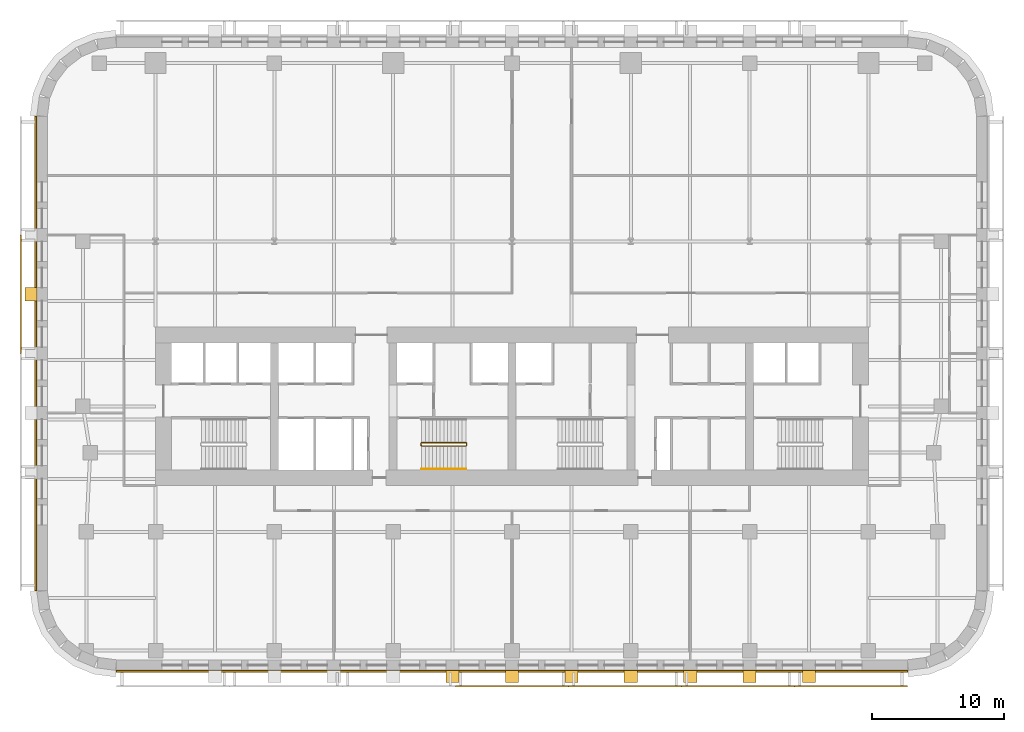
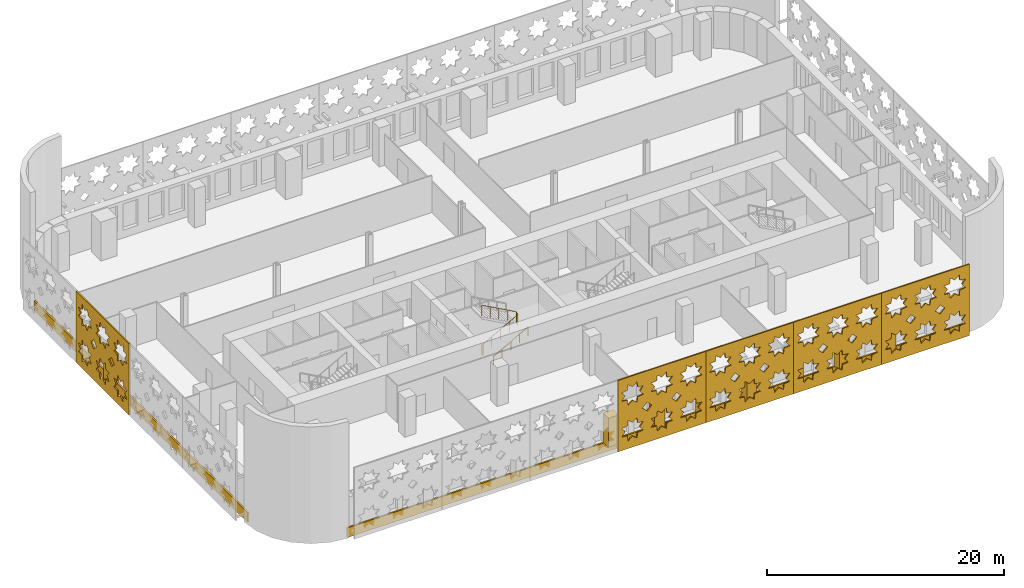
# One storey, part 12 of 15: 15 coverings, 2 railings.
"""IFC4 building model written with IfcOpenShell, lengths in metres."""

import ifcopenshell
import ifcopenshell.guid

model = None  # the IFC model being written
_history = None  # IfcOwnerHistory: only IFC2X3 demands one
_inside = {}  # id of a spatial element -> (the spatial element, [elements in it])
_under = {}  # id of a project, library or spatial element -> (it, [spatial elements below it])
_declared = {}  # id of a project -> (the project, [libraries it declares])
_typed = {}  # id of a type object -> (the type object, [elements of that type])
_made_of = {}  # id of a material, layer set ... -> (it, [elements and type objects made of it])


def new_model(schema):
    """Start an empty IFC model of exactly this schema.

    Asked for "IFC4X3", IfcOpenShell would pick the latest addendum, in which some entities
    have other attributes; the version numbers below select the first issue.
    IFC2X3 requires an IfcOwnerHistory on every rooted entity: one is made here for all.
    """
    global model, _history
    if schema == "IFC4X3":
        model = ifcopenshell.file(schema_version=(4, 3, 0, 0))
    else:
        model = ifcopenshell.file(schema=schema)
    _inside.clear()
    _under.clear()
    _declared.clear()
    _typed.clear()
    _made_of.clear()
    _history = None
    if model.schema == "IFC2X3":
        org = make("IfcOrganization", Name="unknown")
        user = make(
            "IfcPersonAndOrganization",
            ThePerson=make("IfcPerson", FamilyName="unknown"),
            TheOrganization=org,
        )
        app = make(
            "IfcApplication",
            ApplicationDeveloper=org,
            Version="unknown",
            ApplicationFullName="unknown",
            ApplicationIdentifier="unknown",
        )
        _history = make(
            "IfcOwnerHistory",
            OwningUser=user,
            OwningApplication=app,
            ChangeAction="ADDED",
            CreationDate=0,
        )
    return model


def make(cls, **values):
    """One entity of the class cls with the attributes given. An attribute that is None is left unset."""
    return model.create_entity(
        cls, **{name: value for name, value in values.items() if value is not None}
    )


def rooted(cls, **values):
    """An entity with a GlobalId (a new one), such as an element, a storey or a relation."""
    return make(cls, GlobalId=ifcopenshell.guid.new(), OwnerHistory=_history, **values)


def si_unit(unit_type, name, prefix=None):
    """IfcSIUnit, for example si_unit("LENGTHUNIT", "METRE", prefix="MILLI")."""
    return make("IfcSIUnit", UnitType=unit_type, Prefix=prefix, Name=name)


def assignment(units):
    """IfcUnitAssignment: the units of a project."""
    return None if units is None else make("IfcUnitAssignment", Units=units)


def point(xyz):
    """IfcCartesianPoint."""
    return None if xyz is None else make("IfcCartesianPoint", Coordinates=xyz)


def direction(xyz):
    """IfcDirection."""
    return None if xyz is None else make("IfcDirection", DirectionRatios=xyz)


def frame(location, z_axis=None, x_axis=None):
    """IfcAxis2Placement3D, a coordinate frame: its origin and axes. An axis left out is left unset."""
    return make(
        "IfcAxis2Placement3D",
        Location=point(location),
        Axis=direction(z_axis),
        RefDirection=direction(x_axis),
    )


def frame_2d(location, x_axis=None):
    """IfcAxis2Placement2D, a coordinate frame in the plane: its origin and x axis."""
    return make(
        "IfcAxis2Placement2D", Location=point(location), RefDirection=direction(x_axis)
    )


def origin():
    """The frame at (0, 0, 0) with its axes left unset."""
    return frame((0.0, 0.0, 0.0))


def origin_2d():
    """The frame at (0, 0) in the plane with its x axis left unset."""
    return frame_2d((0.0, 0.0))


def place(relative_to, where):
    """IfcLocalPlacement: puts the frame where relative to a parent placement (None: the world)."""
    return make(
        "IfcLocalPlacement", PlacementRelTo=relative_to, RelativePlacement=where
    )


def context(
    kind, dimensions, precision=None, world=None, true_north=None, identifier=None
):
    """IfcGeometricRepresentationContext, for example the 3D "Model" context."""
    return make(
        "IfcGeometricRepresentationContext",
        ContextIdentifier=identifier,
        ContextType=kind,
        CoordinateSpaceDimension=dimensions,
        Precision=precision,
        WorldCoordinateSystem=world,
        TrueNorth=true_north,
    )


def subcontext(parent, identifier, kind, view, scale=None):
    """IfcGeometricRepresentationSubContext, for example "Body" below "Model"."""
    return make(
        "IfcGeometricRepresentationSubContext",
        ContextIdentifier=identifier,
        ContextType=kind,
        ParentContext=parent,
        TargetScale=scale,
        TargetView=view,
    )


def project(units=None, contexts=None):
    """IfcProject with its units and contexts."""
    return rooted(
        "IfcProject",
        Name="project",
        RepresentationContexts=contexts,
        UnitsInContext=assignment(units),
    )


def spatial(cls, under=None, at=None, **own):
    """A site, building, storey or space (cls), placed at a placement, below another one or the project."""
    s = rooted(cls, ObjectPlacement=at, **own)
    if under is not None:
        _under.setdefault(under.id(), (under, []))[1].append(s)
    return s


def polyline(points):
    """IfcPolyline through the points."""
    return make("IfcPolyline", Points=[point(p) for p in points])


def profile(cls, at=None, kind="AREA", **sizes):
    """A parametric profile (cls). Its sizes go by their IFC names, for example OverallWidth=200.0."""
    return make(cls, ProfileType=kind, Position=at, **sizes)


def circle(**sizes):
    """IfcCircleProfileDef."""
    return profile("IfcCircleProfileDef", **sizes)


def outline(outer, holes=None, kind="AREA"):
    """IfcArbitraryClosedProfileDef: a profile drawn as a closed curve; with holes, ...WithVoids."""
    if holes is None:
        return make("IfcArbitraryClosedProfileDef", ProfileType=kind, OuterCurve=outer)
    return make(
        "IfcArbitraryProfileDefWithVoids",
        ProfileType=kind,
        OuterCurve=outer,
        InnerCurves=holes,
    )


def extrude(swept, where, along, depth):
    """IfcExtrudedAreaSolid: the profile swept, set in the frame where, extruded along a direction by depth."""
    return make(
        "IfcExtrudedAreaSolid",
        SweptArea=swept,
        Position=where,
        ExtrudedDirection=direction(along),
        Depth=depth,
    )


def shape(context_of_items, identifier, shape_type, items):
    """IfcShapeRepresentation: the items that make up one representation, for example the "Body"."""
    return make(
        "IfcShapeRepresentation",
        ContextOfItems=context_of_items,
        RepresentationIdentifier=identifier,
        RepresentationType=shape_type,
        Items=items,
    )


def material(Name=None, Category=None):
    """IfcMaterial."""
    return make("IfcMaterial", Name=Name, Category=Category)


def layer(
    of_material, thickness, ventilated=None, Name=None, Category=None, Priority=None
):
    """IfcMaterialLayer: one layer of a wall or slab, of a material (None: an air gap)."""
    return make(
        "IfcMaterialLayer",
        Material=of_material,
        LayerThickness=thickness,
        IsVentilated=ventilated,
        Name=Name,
        Category=Category,
        Priority=Priority,
    )


def layer_set(layers, Name=None):
    """IfcMaterialLayerSet."""
    return make("IfcMaterialLayerSet", MaterialLayers=layers, LayerSetName=Name)


def made_of(thing, what):
    """Note that an element or type object is made of a material, layer set ...; save() writes the relation."""
    if what is not None:
        _made_of.setdefault(what.id(), (what, []))[1].append(thing)
    return thing


def type_object(cls, material=None, **own):
    """A type object (cls), such as IfcWallType, which elements share."""
    return made_of(rooted(cls, **own), material)


def element(
    cls,
    number,
    at=None,
    inside=None,
    cuts=None,
    type_object=None,
    material=None,
    context=None,
    identifier="Body",
    shape_type=None,
    held_by="IfcProductDefinitionShape",
    body=None,
    shapes=None,
    **own,
):
    """One element of the class cls, such as IfcWall. Its Tag is "e" and its number.

    at: its placement. inside: the storey or other place that contains it. cuts: it is an
    opening in that element (IfcRelVoidsElement). A single representation is given by context,
    identifier, shape_type and body (its items); several are given by shapes. held_by: the class
    of the entity that holds the representations. save() writes the other relations.
    """
    e = rooted(cls, Tag="e%d" % number, ObjectPlacement=at, **own)
    if body is not None:
        shapes = [shape(context, identifier, shape_type, body)]
    if shapes is not None:
        e.Representation = make(held_by, Representations=shapes)
    if inside is not None:
        _inside.setdefault(inside.id(), (inside, []))[1].append(e)
    if cuts is not None:
        rooted(
            "IfcRelVoidsElement", RelatingBuildingElement=cuts, RelatedOpeningElement=e
        )
    if type_object is not None:
        _typed.setdefault(type_object.id(), (type_object, []))[1].append(e)
    return made_of(e, material)


def aggregate(whole, parts):
    """IfcRelAggregates: a whole, such as a stair, and the parts it consists of."""
    return rooted("IfcRelAggregates", RelatingObject=whole, RelatedObjects=parts)


def save(model, path):
    """Write the relations noted so far, then the file.

    IfcRelAggregates (storeys below a building ...), IfcRelContainedInSpatialStructure (elements
    in a storey), IfcRelDefinesByType, IfcRelAssociatesMaterial and IfcRelDeclares: one each for
    every whole, place, type object, material and project.
    """
    for whole, parts in _under.values():
        aggregate(whole, parts)
    for where, things in _inside.values():
        rooted(
            "IfcRelContainedInSpatialStructure",
            RelatedElements=things,
            RelatingStructure=where,
        )
    for kind, things in _typed.values():
        rooted("IfcRelDefinesByType", RelatedObjects=things, RelatingType=kind)
    for what, things in _made_of.values():
        rooted("IfcRelAssociatesMaterial", RelatedObjects=things, RelatingMaterial=what)
    for by, libraries in _declared.values():
        rooted("IfcRelDeclares", RelatingContext=by, RelatedDefinitions=libraries)
    model.write(path)


model = new_model("IFC4")

# Units and contexts
model_context = context("Model", 3, precision=1e-05, world=origin(), true_north=direction((0.0, 1.0)))
body_context = subcontext(model_context, "Body", "Model", "MODEL_VIEW")
ifc_project = project(units=[si_unit("LENGTHUNIT", "METRE"), si_unit("AREAUNIT", "SQUARE_METRE"), si_unit("VOLUMEUNIT", "CUBIC_METRE"), si_unit("PLANEANGLEUNIT", "RADIAN"), si_unit("MASSUNIT", "GRAM", prefix="KILO")], contexts=[model_context])

# Site, building, storey
site_placement = place(None, origin())
site = spatial("IfcSite", under=ifc_project, at=site_placement, CompositionType="ELEMENT")
building_placement = place(site_placement, origin())
building = spatial("IfcBuilding", under=site, at=building_placement, Name="Zellij Exchange Tower", CompositionType="ELEMENT")
storey_placement = place(building_placement, frame((0.0, 0.0, 76.5)))
storey = spatial("IfcBuildingStorey", under=building, at=storey_placement, Name="L15", CompositionType="ELEMENT", Elevation=76.5)

# Railings
ifc_material_1 = material(Name="Stainless steel", Category="steel")
railing_type_1 = type_object("IfcRailingType", Name="CORE-RG stair guard", PredefinedType="GUARDRAIL", material=ifc_material_1)
railing_1_placement = place(storey_placement, frame((-6.89990234375, -10.949951171875, 0.0)))
element("IfcRailing", 1, at=railing_1_placement, inside=storey, type_object=railing_type_1, Name="ST2 stair guard L15", PredefinedType="GUARDRAIL", context=body_context, shape_type="SweptSolid", body=[
    extrude(circle(Radius=0.02392578125, at=origin_2d()), frame((0.0, 0.0, 1.076171875), z_axis=(0.0, 1.0, 0.0), x_axis=(-1.0, 0.0, 0.0)), (0.0, 0.0, 1.0), 0.14990234375),
    extrude(circle(Radius=0.02392578125, at=origin_2d()), frame((0.0, 0.14990234375, 1.076171875), z_axis=(0.193691321961, -0.777613689637, 0.598164376644), x_axis=(0.970351222016, 0.241699205484, 0.0)), (0.0, 0.0, 1.0), 0.257080078125),
    extrude(circle(Radius=0.02392578125, at=origin_2d()), frame((0.0498046875, -0.050048828125, 1.22998046875), z_axis=(0.876421534553, 0.0, 0.481544695509), x_axis=(0.0, 1.0, 0.0)), (0.0, 0.0, 1.0), 3.833984375),
    extrude(circle(Radius=0.02392578125, at=origin_2d()), frame((3.409912109375, -0.050048828125, 3.076171875), z_axis=(0.707106781187, 0.707106781187, 0.0), x_axis=(-0.707106781187, 0.707106781187, 0.0)), (0.0, 0.0, 1.0), 0.07080078125),
    extrude(circle(Radius=0.02392578125, at=origin_2d()), frame((3.4599609375, 0.0, 3.076171875), z_axis=(0.0, 1.0, 0.0), x_axis=(-1.0, 0.0, 0.0)), (0.0, 0.0, 1.0), 0.14990234375),
    extrude(circle(Radius=0.02392578125, at=origin_2d()), frame((3.4599609375, 0.14990234375, 3.076171875), z_axis=(-0.295599637079, 0.295599637079, 0.908428152975), x_axis=(-0.707106781187, -0.707106781187, 0.0)), (0.0, 0.0, 1.0), 0.16943359375),
    extrude(circle(Radius=0.02392578125, at=origin_2d()), frame((3.409912109375, 0.199951171875, 3.22998046875), z_axis=(-0.876421534553, 0.0, 0.481544695509), x_axis=(0.0, -1.0, 0.0)), (0.0, 0.0, 1.0), 3.833984375),
    extrude(circle(Radius=0.02099609375, at=origin_2d()), origin(), (0.0, 0.0, 1.0), 1.052001953125),
    extrude(circle(Radius=0.02099609375, at=origin_2d()), frame((0.0, 0.14990234375, 0.0)), (0.0, 0.0, 1.0), 1.052001953125),
    extrude(circle(Radius=0.02099609375, at=origin_2d()), frame((0.0498046875, -0.050048828125, 0.15380859375)), (0.0, 0.0, 1.0), 1.052001953125),
    extrude(circle(Radius=0.02099609375, at=origin_2d()), frame((0.889892578125, -0.050048828125, 0.615234375)), (0.0, 0.0, 1.0), 1.052001953125),
    extrude(circle(Radius=0.02099609375, at=origin_2d()), frame((1.72998046875, -0.050048828125, 1.076904296875)), (0.0, 0.0, 1.0), 1.052001953125),
    extrude(circle(Radius=0.02099609375, at=origin_2d()), frame((2.56982421875, -0.050048828125, 1.53857421875)), (0.0, 0.0, 1.0), 1.052001953125),
    extrude(circle(Radius=0.02099609375, at=origin_2d()), frame((3.409912109375, -0.050048828125, 2.0)), (0.0, 0.0, 1.0), 1.052001953125),
    extrude(circle(Radius=0.02099609375, at=origin_2d()), frame((3.4599609375, 0.0, 2.0)), (0.0, 0.0, 1.0), 1.052001953125),
    extrude(circle(Radius=0.02099609375, at=origin_2d()), frame((3.4599609375, 0.14990234375, 2.0)), (0.0, 0.0, 1.0), 1.052001953125),
    extrude(circle(Radius=0.02099609375, at=origin_2d()), frame((3.409912109375, 0.199951171875, 2.15380859375)), (0.0, 0.0, 1.0), 1.052001953125),
    extrude(circle(Radius=0.02099609375, at=origin_2d()), frame((2.56982421875, 0.199951171875, 2.615234375)), (0.0, 0.0, 1.0), 1.052001953125),
    extrude(circle(Radius=0.02099609375, at=origin_2d()), frame((1.72998046875, 0.199951171875, 3.076904296875)), (0.0, 0.0, 1.0), 1.052001953125),
    extrude(circle(Radius=0.02099609375, at=origin_2d()), frame((0.889892578125, 0.199951171875, 3.53857421875)), (0.0, 0.0, 1.0), 1.052001953125),
    extrude(circle(Radius=0.02099609375, at=origin_2d()), frame((0.0498046875, 0.199951171875, 4.0)), (0.0, 0.0, 1.0), 1.052001953125),
])
railing_type_2 = type_object("IfcRailingType", Name="CORE-RH stair handrail", PredefinedType="HANDRAIL", material=ifc_material_1)
railing_2_placement = place(storey_placement, frame((-6.85009765625, -12.75, 0.15380859375)))
element("IfcRailing", 2, at=railing_2_placement, inside=storey, type_object=railing_type_2, Name="ST2 stair handrail L15", PredefinedType="HANDRAIL", context=body_context, shape_type="SweptSolid", body=[
    extrude(circle(Radius=0.02392578125, at=origin_2d()), frame((0.0, 0.0, 0.8759765625), z_axis=(0.876421534553, 0.0, 0.481544695509), x_axis=(0.0, 1.0, 0.0)), (0.0, 0.0, 1.0), 3.833984375),
    extrude(circle(Radius=0.02099609375, at=origin_2d()), origin(), (0.0, 0.0, 1.0), 0.851806640625),
    extrude(circle(Radius=0.02099609375, at=origin_2d()), frame((0.840087890625, 0.0, 0.46142578125)), (0.0, 0.0, 1.0), 0.851806640625),
    extrude(circle(Radius=0.02099609375, at=origin_2d()), frame((1.68017578125, 0.0, 0.923095703125)), (0.0, 0.0, 1.0), 0.851806640625),
    extrude(circle(Radius=0.02099609375, at=origin_2d()), frame((2.52001953125, 0.0, 1.384765625)), (0.0, 0.0, 1.0), 0.851806640625),
    extrude(circle(Radius=0.02099609375, at=origin_2d()), frame((3.360107421875, 0.0, 1.84619140625)), (0.0, 0.0, 1.0), 0.851806640625),
])

# Coverings
ifc_material_2 = material(Name="Limestone cladding", Category="masonry")
ifc_layer_1 = layer(ifc_material_2, 0.14990234375)
ifc_layer_set_1 = layer_set([ifc_layer_1], Name="Limestone cladding")
covering_type_1 = type_object("IfcCoveringType", Name="ENV-CV1 Stone spandrel band 150", PredefinedType="CLADDING", material=ifc_layer_set_1)
covering_1_placement = place(storey_placement, frame((0.0, 0.0, -0.199951171875)))
element("IfcCovering", 3, at=covering_1_placement, inside=storey, type_object=covering_type_1, Name="Stone spandrel band", PredefinedType="CLADDING", context=body_context, shape_type="SweptSolid", body=[
    extrude(outline(polyline([(-29.973876953125, -28.0), (29.973876953125, -28.0), (29.983642578125, -28.14990234375), (-29.983642578125, -28.14990234375), (-29.973876953125, -28.0)])), origin(), (0.0, 0.0, 1.0), 1.0),
])
covering_2_placement = place(storey_placement, frame((0.0, 0.0, -0.199951171875)))
element("IfcCovering", 4, at=covering_2_placement, inside=storey, type_object=covering_type_1, Name="Stone spandrel band", PredefinedType="CLADDING", context=body_context, shape_type="SweptSolid", body=[
    extrude(outline(polyline([(-36.0, 13.973876953125), (-36.0, -21.973876953125), (-36.14990234375, -21.983642578125), (-36.14990234375, 13.983642578125), (-36.0, 13.973876953125)])), origin(), (0.0, 0.0, 1.0), 1.0),
])
covering_type_2 = type_object("IfcCoveringType", Name="ENV-CV2 Stone pier 1000x900", PredefinedType="CLADDING", material=ifc_material_2)
covering_3_placement = place(storey_placement, frame((0.0, 0.0, 0.800048828125)))
element("IfcCovering", 5, at=covering_3_placement, inside=storey, type_object=covering_type_2, Name="Stone pier", PredefinedType="CLADDING", context=body_context, shape_type="SweptSolid", body=[
    extrude(outline(polyline([(-5.0, -28.0), (-4.0, -28.0), (-4.0, -28.89990234375), (-5.0, -28.89990234375), (-5.0, -28.0)])), origin(), (0.0, 0.0, 1.0), 3.0),
])
covering_4_placement = place(storey_placement, frame((0.0, 0.0, 0.800048828125)))
element("IfcCovering", 6, at=covering_4_placement, inside=storey, type_object=covering_type_2, Name="Stone pier", PredefinedType="CLADDING", context=body_context, shape_type="SweptSolid", body=[
    extrude(outline(polyline([(-0.5, -28.0), (0.5, -28.0), (0.5, -28.89990234375), (-0.5, -28.89990234375), (-0.5, -28.0)])), origin(), (0.0, 0.0, 1.0), 3.0),
])
covering_5_placement = place(storey_placement, frame((0.0, 0.0, 0.800048828125)))
element("IfcCovering", 7, at=covering_5_placement, inside=storey, type_object=covering_type_2, Name="Stone pier", PredefinedType="CLADDING", context=body_context, shape_type="SweptSolid", body=[
    extrude(outline(polyline([(4.0, -28.0), (5.0, -28.0), (5.0, -28.89990234375), (4.0, -28.89990234375), (4.0, -28.0)])), origin(), (0.0, 0.0, 1.0), 3.0),
])
covering_6_placement = place(storey_placement, frame((0.0, 0.0, 0.800048828125)))
element("IfcCovering", 8, at=covering_6_placement, inside=storey, type_object=covering_type_2, Name="Stone pier", PredefinedType="CLADDING", context=body_context, shape_type="SweptSolid", body=[
    extrude(outline(polyline([(8.5, -28.0), (9.5, -28.0), (9.5, -28.89990234375), (8.5, -28.89990234375), (8.5, -28.0)])), origin(), (0.0, 0.0, 1.0), 3.0),
])
covering_7_placement = place(storey_placement, frame((0.0, 0.0, 0.800048828125)))
element("IfcCovering", 9, at=covering_7_placement, inside=storey, type_object=covering_type_2, Name="Stone pier", PredefinedType="CLADDING", context=body_context, shape_type="SweptSolid", body=[
    extrude(outline(polyline([(13.0, -28.0), (14.0, -28.0), (14.0, -28.89990234375), (13.0, -28.89990234375), (13.0, -28.0)])), origin(), (0.0, 0.0, 1.0), 3.0),
])
covering_8_placement = place(storey_placement, frame((0.0, 0.0, 0.800048828125)))
element("IfcCovering", 10, at=covering_8_placement, inside=storey, type_object=covering_type_2, Name="Stone pier", PredefinedType="CLADDING", context=body_context, shape_type="SweptSolid", body=[
    extrude(outline(polyline([(17.5, -28.0), (18.5, -28.0), (18.5, -28.89990234375), (17.5, -28.89990234375), (17.5, -28.0)])), origin(), (0.0, 0.0, 1.0), 3.0),
])
covering_9_placement = place(storey_placement, frame((0.0, 0.0, 0.800048828125)))
element("IfcCovering", 11, at=covering_9_placement, inside=storey, type_object=covering_type_2, Name="Stone pier", PredefinedType="CLADDING", context=body_context, shape_type="SweptSolid", body=[
    extrude(outline(polyline([(22.0, -28.0), (23.0, -28.0), (23.0, -28.89990234375), (22.0, -28.89990234375), (22.0, -28.0)])), origin(), (0.0, 0.0, 1.0), 3.0),
])
covering_10_placement = place(storey_placement, frame((0.0, 0.0, 0.800048828125)))
element("IfcCovering", 12, at=covering_10_placement, inside=storey, type_object=covering_type_2, Name="Stone pier", PredefinedType="CLADDING", context=body_context, shape_type="SweptSolid", body=[
    extrude(outline(polyline([(-36.0, 0.993408203125), (-36.0, -0.006591796875), (-36.89990234375, -0.006591796875), (-36.89990234375, 0.993408203125), (-36.0, 0.993408203125)])), origin(), (0.0, 0.0, 1.0), 3.0),
])
ifc_material_3 = material(Name="Limestone screen", Category="masonry")
ifc_layer_2 = layer(ifc_material_3, 0.1201171875)
ifc_layer_set_2 = layer_set([ifc_layer_2], Name="Limestone screen")
covering_type_3 = type_object("IfcCoveringType", Name="ENV-SC1 Pierced stone screen 120", PredefinedType="USERDEFINED", material=ifc_layer_set_2)
covering_11_placement = place(storey_placement, frame((-37.2099609375, 4.973876953125, 0.300048828125), z_axis=(0.0, 0.0, 1.0), x_axis=(0.0, -1.0, 0.0)))
element("IfcCovering", 13, at=covering_11_placement, inside=storey, type_object=covering_type_3, Name="Pierced stone screen", ObjectType="SCREEN", PredefinedType="USERDEFINED", context=body_context, shape_type="SweptSolid", body=[
    extrude(outline(polyline([(0.0, 0.0), (8.973876953125, 0.0), (8.973876953125, 7.35009765625), (0.0, 7.35009765625), (0.0, 0.0)]), holes=[polyline([(2.60107421875, 2.29541015625), (2.020263671875, 2.362060546875), (1.95361328125, 2.94287109375), (1.49560546875, 2.579345703125), (1.03759765625, 2.94287109375), (0.97119140625, 2.362060546875), (0.39013671875, 2.29541015625), (0.75390625, 1.83740234375), (0.39013671875, 1.379638671875), (0.97119140625, 1.31298828125), (1.03759765625, 0.732177734375), (1.49560546875, 1.095703125), (1.95361328125, 0.732177734375), (2.020263671875, 1.31298828125), (2.60107421875, 1.379638671875), (2.237548828125, 1.83740234375), (2.60107421875, 2.29541015625)]), polyline([(2.60107421875, 5.970458984375), (2.020263671875, 6.037109375), (1.95361328125, 6.617919921875), (1.49560546875, 6.25439453125), (1.03759765625, 6.617919921875), (0.97119140625, 6.037109375), (0.39013671875, 5.970458984375), (0.75390625, 5.512451171875), (0.39013671875, 5.0546875), (0.97119140625, 4.98779296875), (1.03759765625, 4.406982421875), (1.49560546875, 4.770751953125), (1.95361328125, 4.406982421875), (2.020263671875, 4.98779296875), (2.60107421875, 5.0546875), (2.237548828125, 5.512451171875), (2.60107421875, 5.970458984375)]), polyline([(5.59228515625, 2.29541015625), (5.011474609375, 2.362060546875), (4.94482421875, 2.94287109375), (4.48681640625, 2.579345703125), (4.029052734375, 2.94287109375), (3.96240234375, 2.362060546875), (3.381591796875, 2.29541015625), (3.7451171875, 1.83740234375), (3.381591796875, 1.379638671875), (3.96240234375, 1.31298828125), (4.029052734375, 0.732177734375), (4.48681640625, 1.095703125), (4.94482421875, 0.732177734375), (5.011474609375, 1.31298828125), (5.59228515625, 1.379638671875), (5.228759765625, 1.83740234375), (5.59228515625, 2.29541015625)]), polyline([(5.59228515625, 5.970458984375), (5.011474609375, 6.037109375), (4.94482421875, 6.617919921875), (4.48681640625, 6.25439453125), (4.029052734375, 6.617919921875), (3.96240234375, 6.037109375), (3.381591796875, 5.970458984375), (3.7451171875, 5.512451171875), (3.381591796875, 5.0546875), (3.96240234375, 4.98779296875), (4.029052734375, 4.406982421875), (4.48681640625, 4.770751953125), (4.94482421875, 4.406982421875), (5.011474609375, 4.98779296875), (5.59228515625, 5.0546875), (5.228759765625, 5.512451171875), (5.59228515625, 5.970458984375)]), polyline([(8.58349609375, 2.29541015625), (8.002685546875, 2.362060546875), (7.93603515625, 2.94287109375), (7.478271484375, 2.579345703125), (7.020263671875, 2.94287109375), (6.95361328125, 2.362060546875), (6.372802734375, 2.29541015625), (6.736328125, 1.83740234375), (6.372802734375, 1.379638671875), (6.95361328125, 1.31298828125), (7.020263671875, 0.732177734375), (7.478271484375, 1.095703125), (7.93603515625, 0.732177734375), (8.002685546875, 1.31298828125), (8.58349609375, 1.379638671875), (8.219970703125, 1.83740234375), (8.58349609375, 2.29541015625)]), polyline([(8.58349609375, 5.970458984375), (8.002685546875, 6.037109375), (7.93603515625, 6.617919921875), (7.478271484375, 6.25439453125), (7.020263671875, 6.617919921875), (6.95361328125, 6.037109375), (6.372802734375, 5.970458984375), (6.736328125, 5.512451171875), (6.372802734375, 5.0546875), (6.95361328125, 4.98779296875), (7.020263671875, 4.406982421875), (7.478271484375, 4.770751953125), (7.93603515625, 4.406982421875), (8.002685546875, 4.98779296875), (8.58349609375, 5.0546875), (8.219970703125, 5.512451171875), (8.58349609375, 5.970458984375)]), polyline([(3.469970703125, 3.675048828125), (2.9912109375, 4.153564453125), (2.5126953125, 3.675048828125), (2.9912109375, 3.1962890625), (3.469970703125, 3.675048828125)]), polyline([(6.461181640625, 3.675048828125), (5.982421875, 4.153564453125), (5.50390625, 3.675048828125), (5.982421875, 3.1962890625), (6.461181640625, 3.675048828125)])]), frame((0.0, 0.06005859375, 0.0), z_axis=(0.0, -1.0, 0.0), x_axis=(1.0, 0.0, 0.0)), (0.0, 0.0, 1.0), 0.1201171875),
])
covering_12_placement = place(storey_placement, frame((-4.2783203125, -29.2099609375, 0.300048828125), z_axis=(0.0, 0.0, 1.0), x_axis=(1.0, 0.0, 0.0)))
element("IfcCovering", 14, at=covering_12_placement, inside=storey, type_object=covering_type_3, Name="Pierced stone screen", ObjectType="SCREEN", PredefinedType="USERDEFINED", context=body_context, shape_type="SweptSolid", body=[
    extrude(outline(polyline([(0.0, 0.0), (8.556396484375, 0.0), (8.556396484375, 7.35009765625), (0.0, 7.35009765625), (0.0, 0.0)]), holes=[polyline([(2.47998046875, 2.274169921875), (1.92626953125, 2.337646484375), (1.86279296875, 2.8916015625), (1.426025390625, 2.544921875), (0.989501953125, 2.8916015625), (0.92578125, 2.337646484375), (0.3720703125, 2.274169921875), (0.71875, 1.83740234375), (0.3720703125, 1.40087890625), (0.92578125, 1.33740234375), (0.989501953125, 0.783447265625), (1.426025390625, 1.130126953125), (1.86279296875, 0.783447265625), (1.92626953125, 1.33740234375), (2.47998046875, 1.40087890625), (2.13330078125, 1.83740234375), (2.47998046875, 2.274169921875)]), polyline([(2.47998046875, 5.94921875), (1.92626953125, 6.0126953125), (1.86279296875, 6.56640625), (1.426025390625, 6.2197265625), (0.989501953125, 6.56640625), (0.92578125, 6.0126953125), (0.3720703125, 5.94921875), (0.71875, 5.512451171875), (0.3720703125, 5.075927734375), (0.92578125, 5.01220703125), (0.989501953125, 4.45849609375), (1.426025390625, 4.80517578125), (1.86279296875, 4.45849609375), (1.92626953125, 5.01220703125), (2.47998046875, 5.075927734375), (2.13330078125, 5.512451171875), (2.47998046875, 5.94921875)]), polyline([(5.332275390625, 2.274169921875), (4.7783203125, 2.337646484375), (4.71484375, 2.8916015625), (4.2783203125, 2.544921875), (3.841552734375, 2.8916015625), (3.778076171875, 2.337646484375), (3.22412109375, 2.274169921875), (3.57080078125, 1.83740234375), (3.22412109375, 1.40087890625), (3.778076171875, 1.33740234375), (3.841552734375, 0.783447265625), (4.2783203125, 1.130126953125), (4.71484375, 0.783447265625), (4.7783203125, 1.33740234375), (5.332275390625, 1.40087890625), (4.985595703125, 1.83740234375), (5.332275390625, 2.274169921875)]), polyline([(5.332275390625, 5.94921875), (4.7783203125, 6.0126953125), (4.71484375, 6.56640625), (4.2783203125, 6.2197265625), (3.841552734375, 6.56640625), (3.778076171875, 6.0126953125), (3.22412109375, 5.94921875), (3.57080078125, 5.512451171875), (3.22412109375, 5.075927734375), (3.778076171875, 5.01220703125), (3.841552734375, 4.45849609375), (4.2783203125, 4.80517578125), (4.71484375, 4.45849609375), (4.7783203125, 5.01220703125), (5.332275390625, 5.075927734375), (4.985595703125, 5.512451171875), (5.332275390625, 5.94921875)]), polyline([(8.184326171875, 2.274169921875), (7.630615234375, 2.337646484375), (7.56689453125, 2.8916015625), (7.13037109375, 2.544921875), (6.69384765625, 2.8916015625), (6.630126953125, 2.337646484375), (6.076416015625, 2.274169921875), (6.423095703125, 1.83740234375), (6.076416015625, 1.40087890625), (6.630126953125, 1.33740234375), (6.69384765625, 0.783447265625), (7.13037109375, 1.130126953125), (7.56689453125, 0.783447265625), (7.630615234375, 1.33740234375), (8.184326171875, 1.40087890625), (7.837646484375, 1.83740234375), (8.184326171875, 2.274169921875)]), polyline([(8.184326171875, 5.94921875), (7.630615234375, 6.0126953125), (7.56689453125, 6.56640625), (7.13037109375, 6.2197265625), (6.69384765625, 6.56640625), (6.630126953125, 6.0126953125), (6.076416015625, 5.94921875), (6.423095703125, 5.512451171875), (6.076416015625, 5.075927734375), (6.630126953125, 5.01220703125), (6.69384765625, 4.45849609375), (7.13037109375, 4.80517578125), (7.56689453125, 4.45849609375), (7.630615234375, 5.01220703125), (8.184326171875, 5.075927734375), (7.837646484375, 5.512451171875), (8.184326171875, 5.94921875)]), polyline([(3.30859375, 3.675048828125), (2.852294921875, 4.13134765625), (2.395751953125, 3.675048828125), (2.852294921875, 3.21875), (3.30859375, 3.675048828125)]), polyline([(6.16064453125, 3.675048828125), (5.704345703125, 4.13134765625), (5.248046875, 3.675048828125), (5.704345703125, 3.21875), (6.16064453125, 3.675048828125)])]), frame((0.0, 0.06005859375, 0.0), z_axis=(0.0, -1.0, 0.0), x_axis=(1.0, 0.0, 0.0)), (0.0, 0.0, 1.0), 0.1201171875),
])
covering_13_placement = place(storey_placement, frame((4.2783203125, -29.2099609375, 0.300048828125), z_axis=(0.0, 0.0, 1.0), x_axis=(1.0, 0.0, 0.0)))
element("IfcCovering", 15, at=covering_13_placement, inside=storey, type_object=covering_type_3, Name="Pierced stone screen", ObjectType="SCREEN", PredefinedType="USERDEFINED", context=body_context, shape_type="SweptSolid", body=[
    extrude(outline(polyline([(0.0, 0.0), (8.556396484375, 0.0), (8.556396484375, 7.35009765625), (0.0, 7.35009765625), (0.0, 0.0)]), holes=[polyline([(2.47998046875, 2.274169921875), (1.92626953125, 2.337646484375), (1.86279296875, 2.8916015625), (1.426025390625, 2.544921875), (0.989501953125, 2.8916015625), (0.92578125, 2.337646484375), (0.3720703125, 2.274169921875), (0.71875, 1.83740234375), (0.3720703125, 1.40087890625), (0.92578125, 1.33740234375), (0.989501953125, 0.783447265625), (1.426025390625, 1.130126953125), (1.86279296875, 0.783447265625), (1.92626953125, 1.33740234375), (2.47998046875, 1.40087890625), (2.13330078125, 1.83740234375), (2.47998046875, 2.274169921875)]), polyline([(2.47998046875, 5.94921875), (1.92626953125, 6.0126953125), (1.86279296875, 6.56640625), (1.426025390625, 6.2197265625), (0.989501953125, 6.56640625), (0.92578125, 6.0126953125), (0.3720703125, 5.94921875), (0.71875, 5.512451171875), (0.3720703125, 5.075927734375), (0.92578125, 5.01220703125), (0.989501953125, 4.45849609375), (1.426025390625, 4.80517578125), (1.86279296875, 4.45849609375), (1.92626953125, 5.01220703125), (2.47998046875, 5.075927734375), (2.13330078125, 5.512451171875), (2.47998046875, 5.94921875)]), polyline([(5.332275390625, 2.274169921875), (4.7783203125, 2.337646484375), (4.71484375, 2.8916015625), (4.2783203125, 2.544921875), (3.841552734375, 2.8916015625), (3.778076171875, 2.337646484375), (3.22412109375, 2.274169921875), (3.57080078125, 1.83740234375), (3.22412109375, 1.40087890625), (3.778076171875, 1.33740234375), (3.841552734375, 0.783447265625), (4.2783203125, 1.130126953125), (4.71484375, 0.783447265625), (4.7783203125, 1.33740234375), (5.332275390625, 1.40087890625), (4.985595703125, 1.83740234375), (5.332275390625, 2.274169921875)]), polyline([(5.332275390625, 5.94921875), (4.7783203125, 6.0126953125), (4.71484375, 6.56640625), (4.2783203125, 6.2197265625), (3.841552734375, 6.56640625), (3.778076171875, 6.0126953125), (3.22412109375, 5.94921875), (3.57080078125, 5.512451171875), (3.22412109375, 5.075927734375), (3.778076171875, 5.01220703125), (3.841552734375, 4.45849609375), (4.2783203125, 4.80517578125), (4.71484375, 4.45849609375), (4.7783203125, 5.01220703125), (5.332275390625, 5.075927734375), (4.985595703125, 5.512451171875), (5.332275390625, 5.94921875)]), polyline([(8.184326171875, 2.274169921875), (7.630615234375, 2.337646484375), (7.56689453125, 2.8916015625), (7.13037109375, 2.544921875), (6.69384765625, 2.8916015625), (6.630126953125, 2.337646484375), (6.076416015625, 2.274169921875), (6.423095703125, 1.83740234375), (6.076416015625, 1.40087890625), (6.630126953125, 1.33740234375), (6.69384765625, 0.783447265625), (7.13037109375, 1.130126953125), (7.56689453125, 0.783447265625), (7.630615234375, 1.33740234375), (8.184326171875, 1.40087890625), (7.837646484375, 1.83740234375), (8.184326171875, 2.274169921875)]), polyline([(8.184326171875, 5.94921875), (7.630615234375, 6.0126953125), (7.56689453125, 6.56640625), (7.13037109375, 6.2197265625), (6.69384765625, 6.56640625), (6.630126953125, 6.0126953125), (6.076416015625, 5.94921875), (6.423095703125, 5.512451171875), (6.076416015625, 5.075927734375), (6.630126953125, 5.01220703125), (6.69384765625, 4.45849609375), (7.13037109375, 4.80517578125), (7.56689453125, 4.45849609375), (7.630615234375, 5.01220703125), (8.184326171875, 5.075927734375), (7.837646484375, 5.512451171875), (8.184326171875, 5.94921875)]), polyline([(3.30859375, 3.675048828125), (2.852294921875, 4.13134765625), (2.395751953125, 3.675048828125), (2.852294921875, 3.21875), (3.30859375, 3.675048828125)]), polyline([(6.16064453125, 3.675048828125), (5.704345703125, 4.13134765625), (5.248046875, 3.675048828125), (5.704345703125, 3.21875), (6.16064453125, 3.675048828125)])]), frame((0.0, 0.06005859375, 0.0), z_axis=(0.0, -1.0, 0.0), x_axis=(1.0, 0.0, 0.0)), (0.0, 0.0, 1.0), 0.1201171875),
])
covering_14_placement = place(storey_placement, frame((12.834716796875, -29.2099609375, 0.300048828125), z_axis=(0.0, 0.0, 1.0), x_axis=(1.0, 0.0, 0.0)))
element("IfcCovering", 16, at=covering_14_placement, inside=storey, type_object=covering_type_3, Name="Pierced stone screen", ObjectType="SCREEN", PredefinedType="USERDEFINED", context=body_context, shape_type="SweptSolid", body=[
    extrude(outline(polyline([(0.0, 0.0), (8.556396484375, 0.0), (8.556396484375, 7.35009765625), (0.0, 7.35009765625), (0.0, 0.0)]), holes=[polyline([(2.47998046875, 2.274169921875), (1.92626953125, 2.337646484375), (1.86279296875, 2.8916015625), (1.426025390625, 2.544921875), (0.989501953125, 2.8916015625), (0.92578125, 2.337646484375), (0.3720703125, 2.274169921875), (0.71875, 1.83740234375), (0.3720703125, 1.40087890625), (0.92578125, 1.33740234375), (0.989501953125, 0.783447265625), (1.426025390625, 1.130126953125), (1.86279296875, 0.783447265625), (1.92626953125, 1.33740234375), (2.47998046875, 1.40087890625), (2.13330078125, 1.83740234375), (2.47998046875, 2.274169921875)]), polyline([(2.47998046875, 5.94921875), (1.92626953125, 6.0126953125), (1.86279296875, 6.56640625), (1.426025390625, 6.2197265625), (0.989501953125, 6.56640625), (0.92578125, 6.0126953125), (0.3720703125, 5.94921875), (0.71875, 5.512451171875), (0.3720703125, 5.075927734375), (0.92578125, 5.01220703125), (0.989501953125, 4.45849609375), (1.426025390625, 4.80517578125), (1.86279296875, 4.45849609375), (1.92626953125, 5.01220703125), (2.47998046875, 5.075927734375), (2.13330078125, 5.512451171875), (2.47998046875, 5.94921875)]), polyline([(5.332275390625, 2.274169921875), (4.7783203125, 2.337646484375), (4.71484375, 2.8916015625), (4.2783203125, 2.544921875), (3.841552734375, 2.8916015625), (3.778076171875, 2.337646484375), (3.22412109375, 2.274169921875), (3.57080078125, 1.83740234375), (3.22412109375, 1.40087890625), (3.778076171875, 1.33740234375), (3.841552734375, 0.783447265625), (4.2783203125, 1.130126953125), (4.71484375, 0.783447265625), (4.7783203125, 1.33740234375), (5.332275390625, 1.40087890625), (4.985595703125, 1.83740234375), (5.332275390625, 2.274169921875)]), polyline([(5.332275390625, 5.94921875), (4.7783203125, 6.0126953125), (4.71484375, 6.56640625), (4.2783203125, 6.2197265625), (3.841552734375, 6.56640625), (3.778076171875, 6.0126953125), (3.22412109375, 5.94921875), (3.57080078125, 5.512451171875), (3.22412109375, 5.075927734375), (3.778076171875, 5.01220703125), (3.841552734375, 4.45849609375), (4.2783203125, 4.80517578125), (4.71484375, 4.45849609375), (4.7783203125, 5.01220703125), (5.332275390625, 5.075927734375), (4.985595703125, 5.512451171875), (5.332275390625, 5.94921875)]), polyline([(8.184326171875, 2.274169921875), (7.630615234375, 2.337646484375), (7.56689453125, 2.8916015625), (7.13037109375, 2.544921875), (6.69384765625, 2.8916015625), (6.630126953125, 2.337646484375), (6.076416015625, 2.274169921875), (6.423095703125, 1.83740234375), (6.076416015625, 1.40087890625), (6.630126953125, 1.33740234375), (6.69384765625, 0.783447265625), (7.13037109375, 1.130126953125), (7.56689453125, 0.783447265625), (7.630615234375, 1.33740234375), (8.184326171875, 1.40087890625), (7.837646484375, 1.83740234375), (8.184326171875, 2.274169921875)]), polyline([(8.184326171875, 5.94921875), (7.630615234375, 6.0126953125), (7.56689453125, 6.56640625), (7.13037109375, 6.2197265625), (6.69384765625, 6.56640625), (6.630126953125, 6.0126953125), (6.076416015625, 5.94921875), (6.423095703125, 5.512451171875), (6.076416015625, 5.075927734375), (6.630126953125, 5.01220703125), (6.69384765625, 4.45849609375), (7.13037109375, 4.80517578125), (7.56689453125, 4.45849609375), (7.630615234375, 5.01220703125), (8.184326171875, 5.075927734375), (7.837646484375, 5.512451171875), (8.184326171875, 5.94921875)]), polyline([(3.30859375, 3.675048828125), (2.852294921875, 4.13134765625), (2.395751953125, 3.675048828125), (2.852294921875, 3.21875), (3.30859375, 3.675048828125)]), polyline([(6.16064453125, 3.675048828125), (5.704345703125, 4.13134765625), (5.248046875, 3.675048828125), (5.704345703125, 3.21875), (6.16064453125, 3.675048828125)])]), frame((0.0, 0.06005859375, 0.0), z_axis=(0.0, -1.0, 0.0), x_axis=(1.0, 0.0, 0.0)), (0.0, 0.0, 1.0), 0.1201171875),
])
covering_15_placement = place(storey_placement, frame((21.39111328125, -29.2099609375, 0.300048828125), z_axis=(0.0, 0.0, 1.0), x_axis=(1.0, 0.0, 0.0)))
element("IfcCovering", 17, at=covering_15_placement, inside=storey, type_object=covering_type_3, Name="Pierced stone screen", ObjectType="SCREEN", PredefinedType="USERDEFINED", context=body_context, shape_type="SweptSolid", body=[
    extrude(outline(polyline([(0.0, 0.0), (8.556396484375, 0.0), (8.556396484375, 7.35009765625), (0.0, 7.35009765625), (0.0, 0.0)]), holes=[polyline([(2.47998046875, 2.274169921875), (1.92626953125, 2.337646484375), (1.86279296875, 2.8916015625), (1.426025390625, 2.544921875), (0.989501953125, 2.8916015625), (0.92578125, 2.337646484375), (0.3720703125, 2.274169921875), (0.71875, 1.83740234375), (0.3720703125, 1.40087890625), (0.92578125, 1.33740234375), (0.989501953125, 0.783447265625), (1.426025390625, 1.130126953125), (1.86279296875, 0.783447265625), (1.92626953125, 1.33740234375), (2.47998046875, 1.40087890625), (2.13330078125, 1.83740234375), (2.47998046875, 2.274169921875)]), polyline([(2.47998046875, 5.94921875), (1.92626953125, 6.0126953125), (1.86279296875, 6.56640625), (1.426025390625, 6.2197265625), (0.989501953125, 6.56640625), (0.92578125, 6.0126953125), (0.3720703125, 5.94921875), (0.71875, 5.512451171875), (0.3720703125, 5.075927734375), (0.92578125, 5.01220703125), (0.989501953125, 4.45849609375), (1.426025390625, 4.80517578125), (1.86279296875, 4.45849609375), (1.92626953125, 5.01220703125), (2.47998046875, 5.075927734375), (2.13330078125, 5.512451171875), (2.47998046875, 5.94921875)]), polyline([(5.332275390625, 2.274169921875), (4.7783203125, 2.337646484375), (4.71484375, 2.8916015625), (4.2783203125, 2.544921875), (3.841552734375, 2.8916015625), (3.778076171875, 2.337646484375), (3.22412109375, 2.274169921875), (3.57080078125, 1.83740234375), (3.22412109375, 1.40087890625), (3.778076171875, 1.33740234375), (3.841552734375, 0.783447265625), (4.2783203125, 1.130126953125), (4.71484375, 0.783447265625), (4.7783203125, 1.33740234375), (5.332275390625, 1.40087890625), (4.985595703125, 1.83740234375), (5.332275390625, 2.274169921875)]), polyline([(5.332275390625, 5.94921875), (4.7783203125, 6.0126953125), (4.71484375, 6.56640625), (4.2783203125, 6.2197265625), (3.841552734375, 6.56640625), (3.778076171875, 6.0126953125), (3.22412109375, 5.94921875), (3.57080078125, 5.512451171875), (3.22412109375, 5.075927734375), (3.778076171875, 5.01220703125), (3.841552734375, 4.45849609375), (4.2783203125, 4.80517578125), (4.71484375, 4.45849609375), (4.7783203125, 5.01220703125), (5.332275390625, 5.075927734375), (4.985595703125, 5.512451171875), (5.332275390625, 5.94921875)]), polyline([(8.184326171875, 2.274169921875), (7.630615234375, 2.337646484375), (7.56689453125, 2.8916015625), (7.13037109375, 2.544921875), (6.69384765625, 2.8916015625), (6.630126953125, 2.337646484375), (6.076416015625, 2.274169921875), (6.423095703125, 1.83740234375), (6.076416015625, 1.40087890625), (6.630126953125, 1.33740234375), (6.69384765625, 0.783447265625), (7.13037109375, 1.130126953125), (7.56689453125, 0.783447265625), (7.630615234375, 1.33740234375), (8.184326171875, 1.40087890625), (7.837646484375, 1.83740234375), (8.184326171875, 2.274169921875)]), polyline([(8.184326171875, 5.94921875), (7.630615234375, 6.0126953125), (7.56689453125, 6.56640625), (7.13037109375, 6.2197265625), (6.69384765625, 6.56640625), (6.630126953125, 6.0126953125), (6.076416015625, 5.94921875), (6.423095703125, 5.512451171875), (6.076416015625, 5.075927734375), (6.630126953125, 5.01220703125), (6.69384765625, 4.45849609375), (7.13037109375, 4.80517578125), (7.56689453125, 4.45849609375), (7.630615234375, 5.01220703125), (8.184326171875, 5.075927734375), (7.837646484375, 5.512451171875), (8.184326171875, 5.94921875)]), polyline([(3.30859375, 3.675048828125), (2.852294921875, 4.13134765625), (2.395751953125, 3.675048828125), (2.852294921875, 3.21875), (3.30859375, 3.675048828125)]), polyline([(6.16064453125, 3.675048828125), (5.704345703125, 4.13134765625), (5.248046875, 3.675048828125), (5.704345703125, 3.21875), (6.16064453125, 3.675048828125)])]), frame((0.0, 0.06005859375, 0.0), z_axis=(0.0, -1.0, 0.0), x_axis=(1.0, 0.0, 0.0)), (0.0, 0.0, 1.0), 0.1201171875),
])

save(model, "model.ifc")
